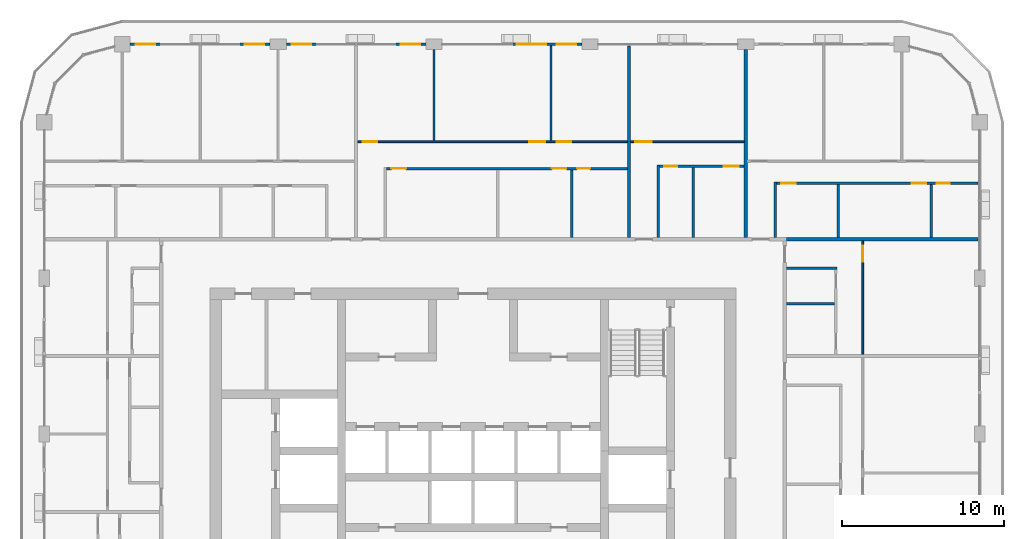
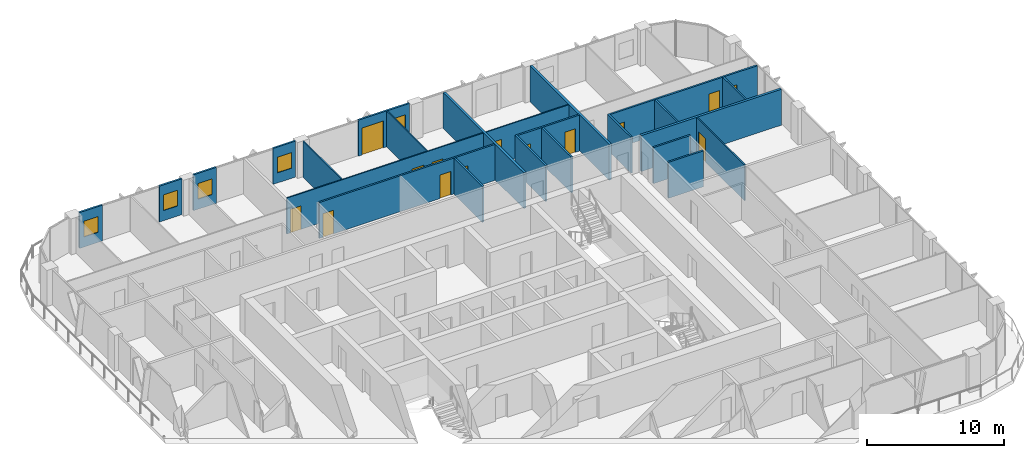
# One storey, part 14 of 22: 24 walls, 14 doors, 5 windows, 19 openings.
"""IFC4 building model written with IfcOpenShell, lengths in metres."""

from ifc_helpers import new_model, si_unit, direction, frame, frame_2d, origin, place, context, subcontext, project, spatial, rectangle, extrude, material, layer, layer_set, type_object, element, fill, save


model = new_model("IFC4")

# Units and contexts
model_context = context("Model", 3, precision=1e-05, world=origin(), true_north=direction((0.0, 1.0)))
body_context = subcontext(model_context, "Body", "Model", "MODEL_VIEW")
ifc_project = project(units=[si_unit("LENGTHUNIT", "METRE"), si_unit("AREAUNIT", "SQUARE_METRE"), si_unit("VOLUMEUNIT", "CUBIC_METRE"), si_unit("PLANEANGLEUNIT", "RADIAN"), si_unit("MASSUNIT", "GRAM", prefix="KILO")], contexts=[model_context])

# Site, building, storey
site_placement = place(None, origin())
site = spatial("IfcSite", under=ifc_project, at=site_placement, CompositionType="ELEMENT")
building_placement = place(site_placement, origin())
building = spatial("IfcBuilding", under=site, at=building_placement, Name="Madar Terraces", CompositionType="ELEMENT")
storey_placement = place(building_placement, frame((0.0, 0.0, 208.800048828125)))
storey = spatial("IfcBuildingStorey", under=building, at=storey_placement, Name="L54", CompositionType="ELEMENT", Elevation=208.800048828125)

# Wall, openings, door, window
ifc_material_1 = material(Name="Aluminium composite panel, black, over insulated backing", Category="aluminium")
ifc_layer_1 = layer(ifc_material_1, 0.14990234375)
ifc_layer_set_1 = layer_set([ifc_layer_1], Name="Facade bay panel 150")
wall_type_1 = type_object("IfcWallType", Name="Facade bay panel 150", PredefinedType="SOLIDWALL", material=ifc_layer_set_1)
wall_1_placement = place(storey_placement, frame((37.89990234375, 52.800048828125, 0.0), z_axis=(0.0, 0.0, 1.0), x_axis=(-1.0, 0.0, 0.0)))
wall_1 = element("IfcWall", 1, at=wall_1_placement, inside=storey, type_object=wall_type_1, Name="Facade bay panel", PredefinedType="SOLIDWALL", context=body_context, shape_type="SweptSolid", body=[
    extrude(rectangle(XDim=4.2998046875, YDim=0.14990234375, at=frame_2d((2.14990234375, 0.0))), origin(), (0.0, 0.0, 1.0), 3.199951171875),
])
opening_1_placement = place(wall_1_placement, frame((0.35009765625, 0.0, 0.89990234375)))
opening_1 = element("IfcOpeningElement", 2, at=opening_1_placement, cuts=wall_1, Name="Opening W1", PredefinedType="OPENING", context=body_context, shape_type="SweptSolid", body=[
    extrude(rectangle(XDim=1.199951171875, YDim=1.39990234375, at=frame_2d((0.60009765625, 0.699951171875))), frame((0.0, 0.0849609375, 0.0), z_axis=(0.0, -1.0, 0.0), x_axis=(1.0, 0.0, 0.0)), (0.0, 0.0, 1.0), 0.169921875),
])
opening_2_placement = place(wall_1_placement, frame((2.199951171875, 0.0, 0.0)))
opening_2 = element("IfcOpeningElement", 3, at=opening_2_placement, cuts=wall_1, Name="Opening ED1", PredefinedType="OPENING", context=body_context, shape_type="SweptSolid", body=[
    extrude(rectangle(XDim=1.800048828125, YDim=2.39990234375, at=frame_2d((0.89990234375, 1.199951171875))), frame((0.0, 0.0849609375, 0.0), z_axis=(0.0, -1.0, 0.0), x_axis=(1.0, 0.0, 0.0)), (0.0, 0.0, 1.0), 0.169921875),
])
ifc_material_2 = material(Name="Glass, clear, with black aluminium frame", Category="aluminium")
door_type_1 = type_object("IfcDoorType", Name="Balcony and terrace sliding door 1800 x 2400", OperationType="SLIDING_TO_LEFT", PredefinedType="DOOR", material=ifc_material_2)
door_1_placement = place(opening_2_placement, origin())
door_1 = element("IfcDoor", 4, at=door_1_placement, inside=storey, type_object=door_type_1, Name="Balcony door", OperationType="SLIDING_TO_RIGHT", OverallHeight=2.39990234375, OverallWidth=1.800048828125, PredefinedType="DOOR", context=body_context, shape_type="SweptSolid", body=[
    extrude(rectangle(XDim=1.800048828125, YDim=2.39990234375, at=frame_2d((0.89990234375, 1.199951171875))), frame((0.0, 0.02490234375, 0.0), z_axis=(0.0, -1.0, 0.0), x_axis=(1.0, 0.0, 0.0)), (0.0, 0.0, 1.0), 0.050048828125),
])
fill(opening_2, door_1)
ifc_material_3 = material(Name="Glass, clear, with black aluminium frame", Category="aluminium")
window_type = type_object("IfcWindowType", Name="Vent window 1200 x 1400", PartitioningType="SINGLE_PANEL", PredefinedType="WINDOW", material=ifc_material_3)
window_1_placement = place(opening_1_placement, origin())
window_1 = element("IfcWindow", 5, at=window_1_placement, inside=storey, type_object=window_type, Name="Operable vent window", OverallHeight=1.39990234375, OverallWidth=1.199951171875, PartitioningType="SINGLE_PANEL", PredefinedType="WINDOW", context=body_context, shape_type="SweptSolid", body=[
    extrude(rectangle(XDim=1.199951171875, YDim=1.39990234375, at=frame_2d((0.60009765625, 0.699951171875))), frame((0.0, 0.030029296875, 0.0), z_axis=(0.0, -1.0, 0.0), x_axis=(1.0, 0.0, 0.0)), (0.0, 0.0, 1.0), 0.06005859375),
])
fill(opening_1, window_1)

# Wall, opening, window
wall_2_placement = place(storey_placement, frame((28.300048828125, 52.800048828125, 0.0), z_axis=(0.0, 0.0, 1.0), x_axis=(-1.0, 0.0, 0.0)))
wall_2 = element("IfcWall", 6, at=wall_2_placement, inside=storey, type_object=wall_type_1, Name="Facade bay panel", PredefinedType="SOLIDWALL", context=body_context, shape_type="SweptSolid", body=[
    extrude(rectangle(XDim=1.900146484375, YDim=0.14990234375, at=frame_2d((0.9501953125, 0.0))), origin(), (0.0, 0.0, 1.0), 3.199951171875),
])
opening_3_placement = place(wall_2_placement, frame((0.35009765625, 0.0, 0.89990234375)))
opening_3 = element("IfcOpeningElement", 7, at=opening_3_placement, cuts=wall_2, Name="Opening W1", PredefinedType="OPENING", context=body_context, shape_type="SweptSolid", body=[
    extrude(rectangle(XDim=1.199951171875, YDim=1.39990234375, at=frame_2d((0.60009765625, 0.699951171875))), frame((0.0, 0.0849609375, 0.0), z_axis=(0.0, -1.0, 0.0), x_axis=(1.0, 0.0, 0.0)), (0.0, 0.0, 1.0), 0.169921875),
])
window_2_placement = place(opening_3_placement, origin())
window_2 = element("IfcWindow", 8, at=window_2_placement, inside=storey, type_object=window_type, Name="Operable vent window", OverallHeight=1.39990234375, OverallWidth=1.199951171875, PartitioningType="SINGLE_PANEL", PredefinedType="WINDOW", context=body_context, shape_type="SweptSolid", body=[
    extrude(rectangle(XDim=1.199951171875, YDim=1.39990234375, at=frame_2d((0.60009765625, 0.699951171875))), frame((0.0, 0.030029296875, 0.0), z_axis=(0.0, -1.0, 0.0), x_axis=(1.0, 0.0, 0.0)), (0.0, 0.0, 1.0), 0.06005859375),
])
fill(opening_3, window_2)

wall_3_placement = place(storey_placement, frame((21.60009765625, 52.800048828125, 0.0), z_axis=(0.0, 0.0, 1.0), x_axis=(-1.0, 0.0, 0.0)))
wall_3 = element("IfcWall", 9, at=wall_3_placement, inside=storey, type_object=wall_type_1, Name="Facade bay panel", PredefinedType="SOLIDWALL", context=body_context, shape_type="SweptSolid", body=[
    extrude(rectangle(XDim=1.900146484375, YDim=0.14990234375, at=frame_2d((0.9501953125, 0.0))), origin(), (0.0, 0.0, 1.0), 3.199951171875),
])
opening_4_placement = place(wall_3_placement, frame((0.35009765625, 0.0, 0.89990234375)))
opening_4 = element("IfcOpeningElement", 10, at=opening_4_placement, cuts=wall_3, Name="Opening W1", PredefinedType="OPENING", context=body_context, shape_type="SweptSolid", body=[
    extrude(rectangle(XDim=1.199951171875, YDim=1.39990234375, at=frame_2d((0.60009765625, 0.699951171875))), frame((0.0, 0.0849609375, 0.0), z_axis=(0.0, -1.0, 0.0), x_axis=(1.0, 0.0, 0.0)), (0.0, 0.0, 1.0), 0.169921875),
])
window_3_placement = place(opening_4_placement, origin())
window_3 = element("IfcWindow", 11, at=window_3_placement, inside=storey, type_object=window_type, Name="Operable vent window", OverallHeight=1.39990234375, OverallWidth=1.199951171875, PartitioningType="SINGLE_PANEL", PredefinedType="WINDOW", context=body_context, shape_type="SweptSolid", body=[
    extrude(rectangle(XDim=1.199951171875, YDim=1.39990234375, at=frame_2d((0.60009765625, 0.699951171875))), frame((0.0, 0.030029296875, 0.0), z_axis=(0.0, -1.0, 0.0), x_axis=(1.0, 0.0, 0.0)), (0.0, 0.0, 1.0), 0.06005859375),
])
fill(opening_4, window_3)

wall_4_placement = place(storey_placement, frame((18.699951171875, 52.800048828125, 0.0), z_axis=(0.0, 0.0, 1.0), x_axis=(-1.0, 0.0, 0.0)))
wall_4 = element("IfcWall", 12, at=wall_4_placement, inside=storey, type_object=wall_type_1, Name="Facade bay panel", PredefinedType="SOLIDWALL", context=body_context, shape_type="SweptSolid", body=[
    extrude(rectangle(XDim=1.89990234375, YDim=0.14990234375, at=frame_2d((0.949951171875, 0.0))), origin(), (0.0, 0.0, 1.0), 3.199951171875),
])
opening_5_placement = place(wall_4_placement, frame((0.35009765625, 0.0, 0.89990234375)))
opening_5 = element("IfcOpeningElement", 13, at=opening_5_placement, cuts=wall_4, Name="Opening W1", PredefinedType="OPENING", context=body_context, shape_type="SweptSolid", body=[
    extrude(rectangle(XDim=1.199951171875, YDim=1.39990234375, at=frame_2d((0.60009765625, 0.699951171875))), frame((0.0, 0.0849609375, 0.0), z_axis=(0.0, -1.0, 0.0), x_axis=(1.0, 0.0, 0.0)), (0.0, 0.0, 1.0), 0.169921875),
])
window_4_placement = place(opening_5_placement, origin())
window_4 = element("IfcWindow", 14, at=window_4_placement, inside=storey, type_object=window_type, Name="Operable vent window", OverallHeight=1.39990234375, OverallWidth=1.199951171875, PartitioningType="SINGLE_PANEL", PredefinedType="WINDOW", context=body_context, shape_type="SweptSolid", body=[
    extrude(rectangle(XDim=1.199951171875, YDim=1.39990234375, at=frame_2d((0.60009765625, 0.699951171875))), frame((0.0, 0.030029296875, 0.0), z_axis=(0.0, -1.0, 0.0), x_axis=(1.0, 0.0, 0.0)), (0.0, 0.0, 1.0), 0.06005859375),
])
fill(opening_5, window_4)

wall_5_placement = place(storey_placement, frame((12.0, 52.800048828125, 0.0), z_axis=(0.0, 0.0, 1.0), x_axis=(-1.0, 0.0, 0.0)))
wall_5 = element("IfcWall", 15, at=wall_5_placement, inside=storey, type_object=wall_type_1, Name="Facade bay panel", PredefinedType="SOLIDWALL", context=body_context, shape_type="SweptSolid", body=[
    extrude(rectangle(XDim=1.925048828125, YDim=0.14990234375, at=frame_2d((0.96240234375, 0.0))), origin(), (0.0, 0.0, 1.0), 3.199951171875),
])
opening_6_placement = place(wall_5_placement, frame((0.362548828125, 0.0, 0.89990234375)))
opening_6 = element("IfcOpeningElement", 16, at=opening_6_placement, cuts=wall_5, Name="Opening W1", PredefinedType="OPENING", context=body_context, shape_type="SweptSolid", body=[
    extrude(rectangle(XDim=1.199951171875, YDim=1.39990234375, at=frame_2d((0.60009765625, 0.699951171875))), frame((0.0, 0.0849609375, 0.0), z_axis=(0.0, -1.0, 0.0), x_axis=(1.0, 0.0, 0.0)), (0.0, 0.0, 1.0), 0.169921875),
])
window_5_placement = place(opening_6_placement, origin())
window_5 = element("IfcWindow", 17, at=window_5_placement, inside=storey, type_object=window_type, Name="Operable vent window", OverallHeight=1.39990234375, OverallWidth=1.199951171875, PartitioningType="SINGLE_PANEL", PredefinedType="WINDOW", context=body_context, shape_type="SweptSolid", body=[
    extrude(rectangle(XDim=1.199951171875, YDim=1.39990234375, at=frame_2d((0.60009765625, 0.699951171875))), frame((0.0, 0.030029296875, 0.0), z_axis=(0.0, -1.0, 0.0), x_axis=(1.0, 0.0, 0.0)), (0.0, 0.0, 1.0), 0.06005859375),
])
fill(opening_6, window_5)

# Wall, opening, door
ifc_material_4 = material(Name="Gypsum board on steel studs", Category="steel")
ifc_layer_2 = layer(ifc_material_4, 0.10009765625)
ifc_layer_set_2 = layer_set([ifc_layer_2], Name="Flat partition 100")
wall_type_2 = type_object("IfcWallType", Name="Flat partition 100", PredefinedType="PARTITIONING", material=ifc_layer_set_2)
wall_6_placement = place(storey_placement, frame((55.199951171875, 40.699951171875, 0.0), z_axis=(0.0, 0.0, 1.0), x_axis=(0.0, -1.0, 0.0)))
wall_6 = element("IfcWall", 18, at=wall_6_placement, inside=storey, type_object=wall_type_2, Name="Flat partition 100", PredefinedType="PARTITIONING", context=body_context, shape_type="SweptSolid", body=[
    extrude(rectangle(XDim=7.0, YDim=0.10009765625, at=frame_2d((3.5, 0.0))), origin(), (0.0, 0.0, 1.0), 3.199951171875),
])
opening_7_placement = place(wall_6_placement, frame((0.300048828125, 0.0, 0.0)))
opening_7 = element("IfcOpeningElement", 19, at=opening_7_placement, cuts=wall_6, Name="Opening D3", PredefinedType="OPENING", context=body_context, shape_type="SweptSolid", body=[
    extrude(rectangle(XDim=1.0, YDim=2.10009765625, at=frame_2d((0.5, 1.050048828125))), frame((0.0, 0.06005859375, 0.0), z_axis=(0.0, -1.0, 0.0), x_axis=(1.0, 0.0, 0.0)), (0.0, 0.0, 1.0), 0.1201171875),
])
ifc_material_5 = material(Name="Timber door leaf", Category="wood")
door_type_2 = type_object("IfcDoorType", Name="Flat living room door 1000", OperationType="NOTDEFINED", PredefinedType="DOOR", material=ifc_material_5)
door_2_placement = place(opening_7_placement, origin())
door_2 = element("IfcDoor", 20, at=door_2_placement, inside=storey, type_object=door_type_2, Name="Flat living room door 1000", OperationType="SINGLE_SWING_LEFT", OverallHeight=2.10009765625, OverallWidth=1.0, PredefinedType="DOOR", context=body_context, shape_type="SweptSolid", body=[
    extrude(rectangle(XDim=1.0, YDim=2.10009765625, at=frame_2d((0.5, 1.050048828125))), frame((0.0, 0.02490234375, 0.0), z_axis=(0.0, -1.0, 0.0), x_axis=(1.0, 0.0, 0.0)), (0.0, 0.0, 1.0), 0.050048828125),
])
fill(opening_7, door_2)

wall_7_placement = place(storey_placement, frame((40.89990234375, 46.800048828125, 0.0), z_axis=(0.0, 0.0, 1.0), x_axis=(1.0, 0.0, 0.0)))
wall_7 = element("IfcWall", 21, at=wall_7_placement, inside=storey, type_object=wall_type_2, Name="Flat partition 100", PredefinedType="PARTITIONING", context=body_context, shape_type="SweptSolid", body=[
    extrude(rectangle(XDim=7.0, YDim=0.10009765625, at=frame_2d((3.5, 0.0))), origin(), (0.0, 0.0, 1.0), 3.199951171875),
])
opening_8_placement = place(wall_7_placement, frame((0.300048828125, 0.0, 0.0)))
opening_8 = element("IfcOpeningElement", 22, at=opening_8_placement, cuts=wall_7, Name="Opening D3", PredefinedType="OPENING", context=body_context, shape_type="SweptSolid", body=[
    extrude(rectangle(XDim=1.0, YDim=2.10009765625, at=frame_2d((0.5, 1.050048828125))), frame((0.0, 0.06005859375, 0.0), z_axis=(0.0, -1.0, 0.0), x_axis=(1.0, 0.0, 0.0)), (0.0, 0.0, 1.0), 0.1201171875),
])
door_3_placement = place(opening_8_placement, origin())
door_3 = element("IfcDoor", 23, at=door_3_placement, inside=storey, type_object=door_type_2, Name="Flat living room door 1000", OperationType="SINGLE_SWING_LEFT", OverallHeight=2.10009765625, OverallWidth=1.0, PredefinedType="DOOR", context=body_context, shape_type="SweptSolid", body=[
    extrude(rectangle(XDim=1.0, YDim=2.10009765625, at=frame_2d((0.5, 1.050048828125))), frame((0.0, 0.02490234375, 0.0), z_axis=(0.0, -1.0, 0.0), x_axis=(1.0, 0.0, 0.0)), (0.0, 0.0, 1.0), 0.050048828125),
])
fill(opening_8, door_3)

# Walls
wall_8_placement = place(storey_placement, frame((28.800048828125, 46.85009765625, 0.0), z_axis=(0.0, 0.0, 1.0), x_axis=(0.0, 1.0, 0.0)))
element("IfcWall", 24, at=wall_8_placement, inside=storey, type_object=wall_type_2, Name="Flat partition 100", PredefinedType="PARTITIONING", context=body_context, shape_type="SweptSolid", body=[
    extrude(rectangle(XDim=5.625, YDim=0.10009765625, at=frame_2d((2.8125, 0.0))), origin(), (0.0, 0.0, 1.0), 3.199951171875),
])
wall_9_placement = place(storey_placement, frame((36.0, 46.85009765625, 0.0), z_axis=(0.0, 0.0, 1.0), x_axis=(0.0, 1.0, 0.0)))
element("IfcWall", 25, at=wall_9_placement, inside=storey, type_object=wall_type_2, Name="Flat partition 100", PredefinedType="PARTITIONING", context=body_context, shape_type="SweptSolid", body=[
    extrude(rectangle(XDim=5.849853515625, YDim=0.10009765625, at=frame_2d((2.9248046875, 0.0))), origin(), (0.0, 0.0, 1.0), 3.199951171875),
])

# Wall, openings, doors
wall_10_placement = place(storey_placement, frame((24.10009765625, 46.800048828125, 0.0), z_axis=(0.0, 0.0, 1.0), x_axis=(1.0, 0.0, 0.0)))
wall_10 = element("IfcWall", 26, at=wall_10_placement, inside=storey, type_object=wall_type_2, Name="Flat partition 100", PredefinedType="PARTITIONING", context=body_context, shape_type="SweptSolid", body=[
    extrude(rectangle(XDim=16.599853515625, YDim=0.10009765625, at=frame_2d((8.2998046875, 0.0))), origin(), (0.0, 0.0, 1.0), 3.199951171875),
])
opening_9_placement = place(wall_10_placement, frame((0.300048828125, 0.0, 0.0)))
opening_9 = element("IfcOpeningElement", 27, at=opening_9_placement, cuts=wall_10, Name="Opening D2", PredefinedType="OPENING", context=body_context, shape_type="SweptSolid", body=[
    extrude(rectangle(XDim=0.89990234375, YDim=2.10009765625, at=frame_2d((0.449951171875, 1.050048828125))), frame((0.0, 0.06005859375, 0.0), z_axis=(0.0, -1.0, 0.0), x_axis=(1.0, 0.0, 0.0)), (0.0, 0.0, 1.0), 0.1201171875),
])
opening_10_placement = place(wall_10_placement, frame((10.550048828125, 0.0, 0.0)))
opening_10 = element("IfcOpeningElement", 28, at=opening_10_placement, cuts=wall_10, Name="Opening D3", PredefinedType="OPENING", context=body_context, shape_type="SweptSolid", body=[
    extrude(rectangle(XDim=1.0, YDim=2.10009765625, at=frame_2d((0.5, 1.050048828125))), frame((0.0, 0.06005859375, 0.0), z_axis=(0.0, -1.0, 0.0), x_axis=(1.0, 0.0, 0.0)), (0.0, 0.0, 1.0), 0.1201171875),
])
opening_11_placement = place(wall_10_placement, frame((12.25, 0.0, 0.0)))
opening_11 = element("IfcOpeningElement", 29, at=opening_11_placement, cuts=wall_10, Name="Opening D2", PredefinedType="OPENING", context=body_context, shape_type="SweptSolid", body=[
    extrude(rectangle(XDim=0.89990234375, YDim=2.10009765625, at=frame_2d((0.449951171875, 1.050048828125))), frame((0.0, 0.06005859375, 0.0), z_axis=(0.0, -1.0, 0.0), x_axis=(1.0, 0.0, 0.0)), (0.0, 0.0, 1.0), 0.1201171875),
])
door_4_placement = place(opening_10_placement, origin())
door_4 = element("IfcDoor", 30, at=door_4_placement, inside=storey, type_object=door_type_2, Name="Flat living room door 1000", OperationType="SINGLE_SWING_RIGHT", OverallHeight=2.10009765625, OverallWidth=1.0, PredefinedType="DOOR", context=body_context, shape_type="SweptSolid", body=[
    extrude(rectangle(XDim=1.0, YDim=2.10009765625, at=frame_2d((0.5, 1.050048828125))), frame((0.0, 0.02490234375, 0.0), z_axis=(0.0, -1.0, 0.0), x_axis=(1.0, 0.0, 0.0)), (0.0, 0.0, 1.0), 0.050048828125),
])
fill(opening_10, door_4)
ifc_material_6 = material(Name="Timber door leaf", Category="wood")
door_type_3 = type_object("IfcDoorType", Name="Flat room door 900", OperationType="NOTDEFINED", PredefinedType="DOOR", material=ifc_material_6)
door_5_placement = place(opening_9_placement, origin())
door_5 = element("IfcDoor", 31, at=door_5_placement, inside=storey, type_object=door_type_3, Name="Flat room door 900", OperationType="SINGLE_SWING_LEFT", OverallHeight=2.10009765625, OverallWidth=0.89990234375, PredefinedType="DOOR", context=body_context, shape_type="SweptSolid", body=[
    extrude(rectangle(XDim=0.89990234375, YDim=2.10009765625, at=frame_2d((0.449951171875, 1.050048828125))), frame((0.0, 0.02490234375, 0.0), z_axis=(0.0, -1.0, 0.0), x_axis=(1.0, 0.0, 0.0)), (0.0, 0.0, 1.0), 0.050048828125),
])
fill(opening_9, door_5)
door_6_placement = place(opening_11_placement, origin())
door_6 = element("IfcDoor", 32, at=door_6_placement, inside=storey, type_object=door_type_3, Name="Flat room door 900", OperationType="SINGLE_SWING_LEFT", OverallHeight=2.10009765625, OverallWidth=0.89990234375, PredefinedType="DOOR", context=body_context, shape_type="SweptSolid", body=[
    extrude(rectangle(XDim=0.89990234375, YDim=2.10009765625, at=frame_2d((0.449951171875, 1.050048828125))), frame((0.0, 0.02490234375, 0.0), z_axis=(0.0, -1.0, 0.0), x_axis=(1.0, 0.0, 0.0)), (0.0, 0.0, 1.0), 0.050048828125),
])
fill(opening_11, door_6)

# Walls
ifc_material_7 = material(Name="Lightweight blockwork", Category="masonry")
ifc_layer_3 = layer(ifc_material_7, 0.199951171875)
ifc_layer_set_3 = layer_set([ifc_layer_3], Name="Flat party and entrance wall 200")
wall_type_3 = type_object("IfcWallType", Name="Flat party and entrance wall 200", PredefinedType="PARTITIONING", material=ifc_layer_set_3)
wall_11_placement = place(storey_placement, frame((50.5, 40.800048828125, 0.0), z_axis=(0.0, 0.0, 1.0), x_axis=(1.0, 0.0, 0.0)))
element("IfcWall", 33, at=wall_11_placement, inside=storey, type_object=wall_type_3, Name="Flat party and entrance wall 200", PredefinedType="PARTITIONING", context=body_context, shape_type="SweptSolid", body=[
    extrude(rectangle(XDim=11.800048828125, YDim=0.199951171875, at=frame_2d((5.89990234375, 0.0))), origin(), (0.0, 0.0, 1.0), 3.199951171875),
])
wall_12_placement = place(storey_placement, frame((48.0, 52.47509765625, 0.0), z_axis=(0.0, 0.0, 1.0), x_axis=(0.0, -1.0, 0.0)))
element("IfcWall", 34, at=wall_12_placement, inside=storey, type_object=wall_type_3, Name="Flat party and entrance wall 200", PredefinedType="PARTITIONING", context=body_context, shape_type="SweptSolid", body=[
    extrude(rectangle(XDim=11.5751953125, YDim=0.199951171875, at=frame_2d((5.78759765625, 0.0))), origin(), (0.0, 0.0, 1.0), 3.199951171875),
])
wall_13_placement = place(storey_placement, frame((40.800048828125, 52.699951171875, 0.0), z_axis=(0.0, 0.0, 1.0), x_axis=(0.0, -1.0, 0.0)))
element("IfcWall", 35, at=wall_13_placement, inside=storey, type_object=wall_type_3, Name="Flat party and entrance wall 200", PredefinedType="PARTITIONING", context=body_context, shape_type="SweptSolid", body=[
    extrude(rectangle(XDim=11.800048828125, YDim=0.199951171875, at=frame_2d((5.89990234375, 0.0))), origin(), (0.0, 0.0, 1.0), 3.199951171875),
])
ifc_material_8 = material(Name="Lightweight blockwork", Category="masonry")
ifc_layer_4 = layer(ifc_material_8, 0.14990234375)
ifc_layer_set_4 = layer_set([ifc_layer_4], Name="Flat wet-room partition 150")
wall_type_4 = type_object("IfcWallType", Name="Flat wet-room partition 150", PredefinedType="PARTITIONING", material=ifc_layer_set_4)
wall_14_placement = place(storey_placement, frame((50.5, 36.8349609375, 0.0), z_axis=(0.0, 0.0, 1.0), x_axis=(1.0, 0.0, 0.0)))
element("IfcWall", 36, at=wall_14_placement, inside=storey, type_object=wall_type_4, Name="Flat wet-room partition 150", PredefinedType="PARTITIONING", context=body_context, shape_type="SweptSolid", body=[
    extrude(rectangle(XDim=2.97509765625, YDim=0.14990234375, at=frame_2d((1.487548828125, 0.0))), origin(), (0.0, 0.0, 1.0), 3.199951171875),
])
wall_15_placement = place(storey_placement, frame((50.5, 39.0, 0.0), z_axis=(0.0, 0.0, 1.0), x_axis=(1.0, 0.0, 0.0)))
element("IfcWall", 37, at=wall_15_placement, inside=storey, type_object=wall_type_4, Name="Flat wet-room partition 150", PredefinedType="PARTITIONING", context=body_context, shape_type="SweptSolid", body=[
    extrude(rectangle(XDim=3.125, YDim=0.14990234375, at=frame_2d((1.5625, 0.0))), origin(), (0.0, 0.0, 1.0), 3.199951171875),
])
for number, where, z_axis, x_axis, name in (
    (38, (53.697998046875, 40.89990234375, 0.0), (0.0, 0.0, 1.0), (0.0, 1.0, 0.0), "Flat wet-room partition 150"),
    (39, (59.4326171875, 40.89990234375, 0.0), (0.0, 0.0, 1.0), (0.0, 1.0, 0.0), "Flat wet-room partition 150"),
):
    element("IfcWall", number, at=place(storey_placement, frame(where, z_axis=z_axis, x_axis=x_axis)), inside=storey, type_object=wall_type_4, Name=name, PredefinedType="PARTITIONING", context=body_context, shape_type="SweptSolid", body=[
        extrude(rectangle(XDim=3.275146484375, YDim=0.14990234375, at=frame_2d((1.6376953125, 0.0))), origin(), (0.0, 0.0, 1.0), 3.199951171875),
    ])
wall_16_placement = place(storey_placement, frame((49.800048828125, 40.89990234375, 0.0), z_axis=(0.0, 0.0, 1.0), x_axis=(0.0, 1.0, 0.0)))
element("IfcWall", 40, at=wall_16_placement, inside=storey, type_object=wall_type_4, Name="Flat wet-room partition 150", PredefinedType="PARTITIONING", context=body_context, shape_type="SweptSolid", body=[
    extrude(rectangle(XDim=3.425048828125, YDim=0.14990234375, at=frame_2d((1.71240234375, 0.0))), origin(), (0.0, 0.0, 1.0), 3.199951171875),
])

# Wall, openings, doors
wall_17_placement = place(storey_placement, frame((62.300048828125, 44.25, 0.0), z_axis=(0.0, 0.0, 1.0), x_axis=(-1.0, 0.0, 0.0)))
wall_17 = element("IfcWall", 41, at=wall_17_placement, inside=storey, type_object=wall_type_4, Name="Flat wet-room partition 150", PredefinedType="PARTITIONING", context=body_context, shape_type="SweptSolid", body=[
    extrude(rectangle(XDim=12.425048828125, YDim=0.14990234375, at=frame_2d((6.21240234375, 0.0))), origin(), (0.0, 0.0, 1.0), 3.199951171875),
])
opening_12_placement = place(wall_17_placement, frame((11.22509765625, 0.0, 0.0)))
opening_12 = element("IfcOpeningElement", 42, at=opening_12_placement, cuts=wall_17, Name="Opening D5", PredefinedType="OPENING", context=body_context, shape_type="SweptSolid", body=[
    extrude(rectangle(XDim=0.89990234375, YDim=2.10009765625, at=frame_2d((0.449951171875, 1.050048828125))), frame((0.0, 0.0849609375, 0.0), z_axis=(0.0, -1.0, 0.0), x_axis=(1.0, 0.0, 0.0)), (0.0, 0.0, 1.0), 0.169921875),
])
opening_13_placement = place(wall_17_placement, frame((3.1923828125, 0.0, 0.0)))
opening_13 = element("IfcOpeningElement", 43, at=opening_13_placement, cuts=wall_17, Name="Opening D2", PredefinedType="OPENING", context=body_context, shape_type="SweptSolid", body=[
    extrude(rectangle(XDim=0.89990234375, YDim=2.10009765625, at=frame_2d((0.449951171875, 1.050048828125))), frame((0.0, 0.0849609375, 0.0), z_axis=(0.0, -1.0, 0.0), x_axis=(1.0, 0.0, 0.0)), (0.0, 0.0, 1.0), 0.169921875),
])
opening_14_placement = place(wall_17_placement, frame((1.7421875, 0.0, 0.0)))
opening_14 = element("IfcOpeningElement", 44, at=opening_14_placement, cuts=wall_17, Name="Opening D4", PredefinedType="OPENING", context=body_context, shape_type="SweptSolid", body=[
    extrude(rectangle(XDim=0.800048828125, YDim=2.10009765625, at=frame_2d((0.39990234375, 1.050048828125))), frame((0.0, 0.0849609375, 0.0), z_axis=(0.0, -1.0, 0.0), x_axis=(1.0, 0.0, 0.0)), (0.0, 0.0, 1.0), 0.169921875),
])
ifc_material_9 = material(Name="Timber door leaf", Category="wood")
door_type_4 = type_object("IfcDoorType", Name="Flat accessible bathroom door 900", OperationType="NOTDEFINED", PredefinedType="DOOR", material=ifc_material_9)
door_7_placement = place(opening_12_placement, origin())
door_7 = element("IfcDoor", 45, at=door_7_placement, inside=storey, type_object=door_type_4, Name="Flat accessible bathroom door 900", OperationType="SINGLE_SWING_RIGHT", OverallHeight=2.10009765625, OverallWidth=0.89990234375, PredefinedType="DOOR", context=body_context, shape_type="SweptSolid", body=[
    extrude(rectangle(XDim=0.89990234375, YDim=2.10009765625, at=frame_2d((0.449951171875, 1.050048828125))), frame((0.0, 0.02490234375, 0.0), z_axis=(0.0, -1.0, 0.0), x_axis=(1.0, 0.0, 0.0)), (0.0, 0.0, 1.0), 0.050048828125),
])
fill(opening_12, door_7)
ifc_material_10 = material(Name="Timber door leaf", Category="wood")
door_type_5 = type_object("IfcDoorType", Name="Flat bathroom door 800", OperationType="NOTDEFINED", PredefinedType="DOOR", material=ifc_material_10)
door_8_placement = place(opening_14_placement, origin())
door_8 = element("IfcDoor", 46, at=door_8_placement, inside=storey, type_object=door_type_5, Name="Flat bathroom door 800", OperationType="SINGLE_SWING_RIGHT", OverallHeight=2.10009765625, OverallWidth=0.800048828125, PredefinedType="DOOR", context=body_context, shape_type="SweptSolid", body=[
    extrude(rectangle(XDim=0.800048828125, YDim=2.10009765625, at=frame_2d((0.39990234375, 1.050048828125))), frame((0.0, 0.02490234375, 0.0), z_axis=(0.0, -1.0, 0.0), x_axis=(1.0, 0.0, 0.0)), (0.0, 0.0, 1.0), 0.050048828125),
])
fill(opening_14, door_8)
door_9_placement = place(opening_13_placement, origin())
door_9 = element("IfcDoor", 47, at=door_9_placement, inside=storey, type_object=door_type_3, Name="Flat room door 900", OperationType="SINGLE_SWING_LEFT", OverallHeight=2.10009765625, OverallWidth=0.89990234375, PredefinedType="DOOR", context=body_context, shape_type="SweptSolid", body=[
    extrude(rectangle(XDim=0.89990234375, YDim=2.10009765625, at=frame_2d((0.449951171875, 1.050048828125))), frame((0.0, 0.02490234375, 0.0), z_axis=(0.0, -1.0, 0.0), x_axis=(1.0, 0.0, 0.0)), (0.0, 0.0, 1.0), 0.050048828125),
])
fill(opening_13, door_9)

# Walls
wall_18_placement = place(storey_placement, frame((44.764892578125, 40.89990234375, 0.0), z_axis=(0.0, 0.0, 1.0), x_axis=(0.0, 1.0, 0.0)))
element("IfcWall", 48, at=wall_18_placement, inside=storey, type_object=wall_type_4, Name="Flat wet-room partition 150", PredefinedType="PARTITIONING", context=body_context, shape_type="SweptSolid", body=[
    extrude(rectangle(XDim=4.3251953125, YDim=0.14990234375, at=frame_2d((2.16259765625, 0.0))), origin(), (0.0, 0.0, 1.0), 3.199951171875),
])
wall_19_placement = place(storey_placement, frame((42.60009765625, 40.89990234375, 0.0), z_axis=(0.0, 0.0, 1.0), x_axis=(0.0, 1.0, 0.0)))
element("IfcWall", 49, at=wall_19_placement, inside=storey, type_object=wall_type_4, Name="Flat wet-room partition 150", PredefinedType="PARTITIONING", context=body_context, shape_type="SweptSolid", body=[
    extrude(rectangle(XDim=4.47509765625, YDim=0.14990234375, at=frame_2d((2.237548828125, 0.0))), origin(), (0.0, 0.0, 1.0), 3.199951171875),
])

# Wall, openings, doors
wall_20_placement = place(storey_placement, frame((47.89990234375, 45.300048828125, 0.0), z_axis=(0.0, 0.0, 1.0), x_axis=(-1.0, 0.0, 0.0)))
wall_20 = element("IfcWall", 50, at=wall_20_placement, inside=storey, type_object=wall_type_4, Name="Flat wet-room partition 150", PredefinedType="PARTITIONING", context=body_context, shape_type="SweptSolid", body=[
    extrude(rectangle(XDim=5.224853515625, YDim=0.14990234375, at=frame_2d((2.6123046875, 0.0))), origin(), (0.0, 0.0, 1.0), 3.199951171875),
])
opening_15_placement = place(wall_20_placement, frame((4.125, 0.0, 0.0)))
opening_15 = element("IfcOpeningElement", 51, at=opening_15_placement, cuts=wall_20, Name="Opening D4", PredefinedType="OPENING", context=body_context, shape_type="SweptSolid", body=[
    extrude(rectangle(XDim=0.800048828125, YDim=2.10009765625, at=frame_2d((0.39990234375, 1.050048828125))), frame((0.0, 0.0849609375, 0.0), z_axis=(0.0, -1.0, 0.0), x_axis=(1.0, 0.0, 0.0)), (0.0, 0.0, 1.0), 0.169921875),
])
opening_16_placement = place(wall_20_placement, frame((0.35009765625, 0.0, 0.0)))
opening_16 = element("IfcOpeningElement", 52, at=opening_16_placement, cuts=wall_20, Name="Opening D2", PredefinedType="OPENING", context=body_context, shape_type="SweptSolid", body=[
    extrude(rectangle(XDim=0.89990234375, YDim=2.10009765625, at=frame_2d((0.449951171875, 1.050048828125))), frame((0.0, 0.0849609375, 0.0), z_axis=(0.0, -1.0, 0.0), x_axis=(1.0, 0.0, 0.0)), (0.0, 0.0, 1.0), 0.169921875),
])
door_10_placement = place(opening_15_placement, origin())
door_10 = element("IfcDoor", 53, at=door_10_placement, inside=storey, type_object=door_type_5, Name="Flat bathroom door 800", OperationType="SINGLE_SWING_RIGHT", OverallHeight=2.10009765625, OverallWidth=0.800048828125, PredefinedType="DOOR", context=body_context, shape_type="SweptSolid", body=[
    extrude(rectangle(XDim=0.800048828125, YDim=2.10009765625, at=frame_2d((0.39990234375, 1.050048828125))), frame((0.0, 0.02490234375, 0.0), z_axis=(0.0, -1.0, 0.0), x_axis=(1.0, 0.0, 0.0)), (0.0, 0.0, 1.0), 0.050048828125),
])
fill(opening_15, door_10)
door_11_placement = place(opening_16_placement, origin())
door_11 = element("IfcDoor", 54, at=door_11_placement, inside=storey, type_object=door_type_3, Name="Flat room door 900", OperationType="SINGLE_SWING_LEFT", OverallHeight=2.10009765625, OverallWidth=0.89990234375, PredefinedType="DOOR", context=body_context, shape_type="SweptSolid", body=[
    extrude(rectangle(XDim=0.89990234375, YDim=2.10009765625, at=frame_2d((0.449951171875, 1.050048828125))), frame((0.0, 0.02490234375, 0.0), z_axis=(0.0, -1.0, 0.0), x_axis=(1.0, 0.0, 0.0)), (0.0, 0.0, 1.0), 0.050048828125),
])
fill(opening_16, door_11)

# Wall
wall_21_placement = place(storey_placement, frame((37.27880859375, 40.89990234375, 0.0), z_axis=(0.0, 0.0, 1.0), x_axis=(0.0, 1.0, 0.0)))
element("IfcWall", 55, at=wall_21_placement, inside=storey, type_object=wall_type_4, Name="Flat wet-room partition 150", PredefinedType="PARTITIONING", context=body_context, shape_type="SweptSolid", body=[
    extrude(rectangle(XDim=4.175048828125, YDim=0.14990234375, at=frame_2d((2.08740234375, 0.0))), origin(), (0.0, 0.0, 1.0), 3.199951171875),
])

# Wall, openings, doors
wall_22_placement = place(storey_placement, frame((40.699951171875, 45.14990234375, 0.0), z_axis=(0.0, 0.0, 1.0), x_axis=(-1.0, 0.0, 0.0)))
wall_22 = element("IfcWall", 56, at=wall_22_placement, inside=storey, type_object=wall_type_4, Name="Flat wet-room partition 150", PredefinedType="PARTITIONING", context=body_context, shape_type="SweptSolid", body=[
    extrude(rectangle(XDim=14.824951171875, YDim=0.14990234375, at=frame_2d((7.41259765625, 0.0))), origin(), (0.0, 0.0, 1.0), 3.199951171875),
])
opening_17_placement = place(wall_22_placement, frame((13.625, 0.0, 0.0)))
opening_17 = element("IfcOpeningElement", 57, at=opening_17_placement, cuts=wall_22, Name="Opening D2", PredefinedType="OPENING", context=body_context, shape_type="SweptSolid", body=[
    extrude(rectangle(XDim=0.89990234375, YDim=2.10009765625, at=frame_2d((0.449951171875, 1.050048828125))), frame((0.0, 0.0849609375, 0.0), z_axis=(0.0, -1.0, 0.0), x_axis=(1.0, 0.0, 0.0)), (0.0, 0.0, 1.0), 0.169921875),
])
opening_18_placement = place(wall_22_placement, frame((3.74609375, 0.0, 0.0)))
opening_18 = element("IfcOpeningElement", 58, at=opening_18_placement, cuts=wall_22, Name="Opening D5", PredefinedType="OPENING", context=body_context, shape_type="SweptSolid", body=[
    extrude(rectangle(XDim=0.89990234375, YDim=2.10009765625, at=frame_2d((0.449951171875, 1.050048828125))), frame((0.0, 0.0849609375, 0.0), z_axis=(0.0, -1.0, 0.0), x_axis=(1.0, 0.0, 0.0)), (0.0, 0.0, 1.0), 0.169921875),
])
opening_19_placement = place(wall_22_placement, frame((2.296142578125, 0.0, 0.0)))
opening_19 = element("IfcOpeningElement", 59, at=opening_19_placement, cuts=wall_22, Name="Opening D4", PredefinedType="OPENING", context=body_context, shape_type="SweptSolid", body=[
    extrude(rectangle(XDim=0.800048828125, YDim=2.10009765625, at=frame_2d((0.39990234375, 1.050048828125))), frame((0.0, 0.0849609375, 0.0), z_axis=(0.0, -1.0, 0.0), x_axis=(1.0, 0.0, 0.0)), (0.0, 0.0, 1.0), 0.169921875),
])
door_12_placement = place(opening_18_placement, origin())
door_12 = element("IfcDoor", 60, at=door_12_placement, inside=storey, type_object=door_type_4, Name="Flat accessible bathroom door 900", OperationType="SINGLE_SWING_LEFT", OverallHeight=2.10009765625, OverallWidth=0.89990234375, PredefinedType="DOOR", context=body_context, shape_type="SweptSolid", body=[
    extrude(rectangle(XDim=0.89990234375, YDim=2.10009765625, at=frame_2d((0.449951171875, 1.050048828125))), frame((0.0, 0.02490234375, 0.0), z_axis=(0.0, -1.0, 0.0), x_axis=(1.0, 0.0, 0.0)), (0.0, 0.0, 1.0), 0.050048828125),
])
fill(opening_18, door_12)
door_13_placement = place(opening_19_placement, origin())
door_13 = element("IfcDoor", 61, at=door_13_placement, inside=storey, type_object=door_type_5, Name="Flat bathroom door 800", OperationType="SINGLE_SWING_RIGHT", OverallHeight=2.10009765625, OverallWidth=0.800048828125, PredefinedType="DOOR", context=body_context, shape_type="SweptSolid", body=[
    extrude(rectangle(XDim=0.800048828125, YDim=2.10009765625, at=frame_2d((0.39990234375, 1.050048828125))), frame((0.0, 0.02490234375, 0.0), z_axis=(0.0, -1.0, 0.0), x_axis=(1.0, 0.0, 0.0)), (0.0, 0.0, 1.0), 0.050048828125),
])
fill(opening_19, door_13)
door_14_placement = place(opening_17_placement, origin())
door_14 = element("IfcDoor", 62, at=door_14_placement, inside=storey, type_object=door_type_3, Name="Flat room door 900", OperationType="SINGLE_SWING_RIGHT", OverallHeight=2.10009765625, OverallWidth=0.89990234375, PredefinedType="DOOR", context=body_context, shape_type="SweptSolid", body=[
    extrude(rectangle(XDim=0.89990234375, YDim=2.10009765625, at=frame_2d((0.449951171875, 1.050048828125))), frame((0.0, 0.02490234375, 0.0), z_axis=(0.0, -1.0, 0.0), x_axis=(1.0, 0.0, 0.0)), (0.0, 0.0, 1.0), 0.050048828125),
])
fill(opening_17, door_14)

save(model, "model.ifc")
